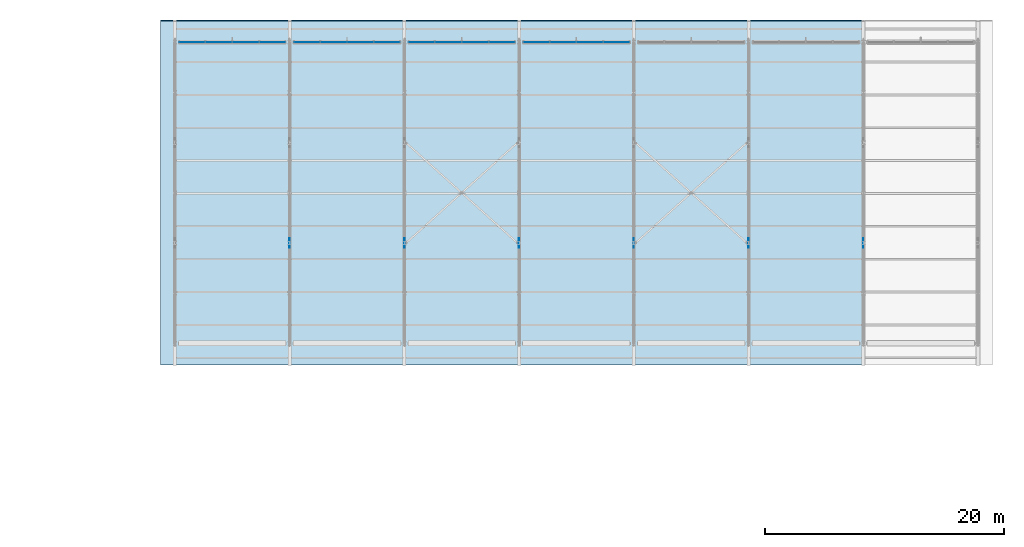
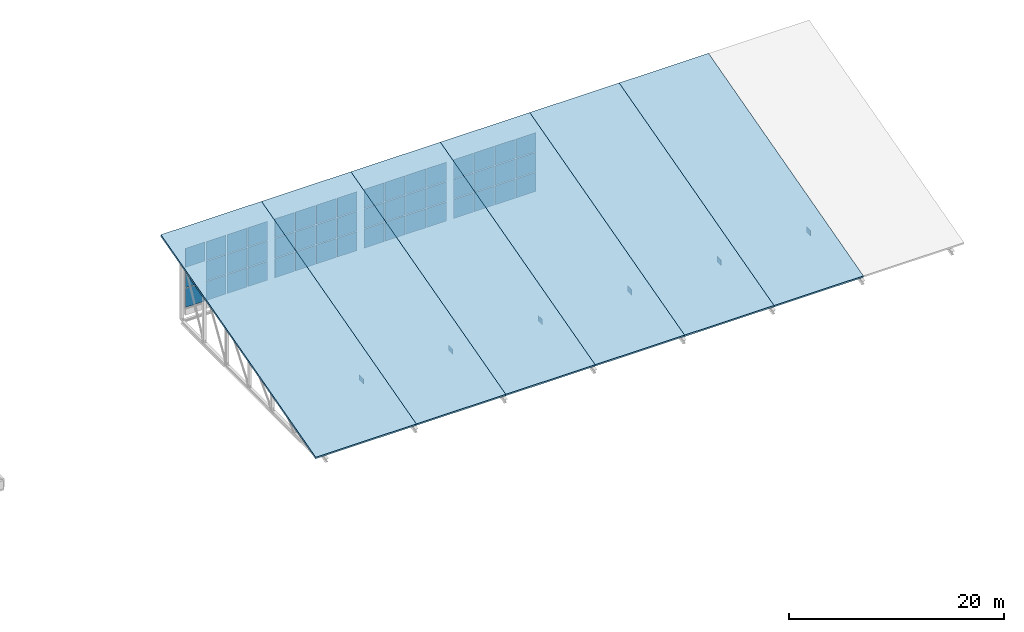
# One storey, part 20 of 37: 54 plates, 6 slabs, 4 elements without a shape of their own.
"""IFC4 building model written with IfcOpenShell, lengths in metres."""

from ifc_helpers import new_model, si_unit, direction, frame, origin, origin_2d, place, context, subcontext, project, spatial, polyline, rectangle, outline, extrude, material, layer, layer_set, type_object, element, aggregate, save


model = new_model("IFC4")

# Units and contexts
model_context = context("Model", 3, precision=1e-05, world=origin(), true_north=direction((0.0, 1.0)))
body_context = subcontext(model_context, "Body", "Model", "MODEL_VIEW")
ifc_project = project(units=[si_unit("LENGTHUNIT", "METRE"), si_unit("AREAUNIT", "SQUARE_METRE"), si_unit("VOLUMEUNIT", "CUBIC_METRE"), si_unit("PLANEANGLEUNIT", "RADIAN"), si_unit("MASSUNIT", "GRAM", prefix="KILO")], contexts=[model_context])

# Site, building, storey
site_placement = place(None, origin())
site = spatial("IfcSite", under=ifc_project, at=site_placement, CompositionType="ELEMENT")
building_placement = place(site_placement, origin())
building = spatial("IfcBuilding", under=site, at=building_placement, Name="Shalvenor Court Art Gallery", CompositionType="ELEMENT")
storey_placement = place(building_placement, frame((0.0, 0.0, 22.199951171875)))
storey = spatial("IfcBuildingStorey", under=building, at=storey_placement, Name="L04", CompositionType="ELEMENT", Elevation=22.199951171875)

# Curtain wall, plates
ifc_material_1 = material(Name="Anodised aluminium and low-iron glass curtain wall", Category="aluminium")
curtain_wall_type = type_object("IfcCurtainWallType", Name="CW-NL-V2", PredefinedType="USERDEFINED", material=ifc_material_1)
curtain_wall_1_placement = place(storey_placement, origin())
curtain_wall_1 = element("IfcCurtainWall", 1, at=curtain_wall_1_placement, inside=storey, type_object=curtain_wall_type, Name="L04 V2 North Light Clerestory 1", ObjectType="CURTAIN WALL", PredefinedType="USERDEFINED")
ifc_material_2 = material(Name="Diffused north-light acid-etched museum glazing IGU", Category="glass")
ifc_layer_1 = layer(ifc_material_2, 0.02392578125, Name="Diffused north-light acid-etched museum glazing IGU")
ifc_layer_set_1 = layer_set([ifc_layer_1], Name="Diffused north-light acid-etched museum glazing IGU")
plate_type_1 = type_object("IfcPlateType", Name="CWP-04", PredefinedType="CURTAIN_PANEL", material=ifc_layer_set_1)
plate_1_placement = place(storey_placement, frame((59.044921875, 122.39990234375, 0.074951171875), z_axis=(0.0, 0.0, 1.0), x_axis=(1.0, 0.0, 0.0)))
plate_1 = element("IfcPlate", 2, at=plate_1_placement, type_object=plate_type_1, Name="CW-NL-V2 panel 1.1", PredefinedType="CURTAIN_PANEL", context=body_context, shape_type="SweptSolid", body=[
    extrude(rectangle(XDim=2.1298828125, YDim=0.02392578125, at=origin_2d()), origin(), (0.0, 0.0, 1.0), 2.1708984375),
])
plate_2_placement = place(storey_placement, frame((59.044921875, 122.39990234375, 2.32080078125), z_axis=(0.0, 0.0, 1.0), x_axis=(1.0, 0.0, 0.0)))
plate_2 = element("IfcPlate", 3, at=plate_2_placement, type_object=plate_type_1, Name="CW-NL-V2 panel 1.2", PredefinedType="CURTAIN_PANEL", context=body_context, shape_type="SweptSolid", body=[
    extrude(rectangle(XDim=2.1298828125, YDim=0.02392578125, at=origin_2d()), origin(), (0.0, 0.0, 1.0), 2.208251953125),
])
plate_3_placement = place(storey_placement, frame((59.044921875, 122.39990234375, 4.604248046875), z_axis=(0.0, 0.0, 1.0), x_axis=(1.0, 0.0, 0.0)))
plate_3 = element("IfcPlate", 4, at=plate_3_placement, type_object=plate_type_1, Name="CW-NL-V2 panel 1.3", PredefinedType="CURTAIN_PANEL", context=body_context, shape_type="SweptSolid", body=[
    extrude(rectangle(XDim=2.1298828125, YDim=0.02392578125, at=origin_2d()), origin(), (0.0, 0.0, 1.0), 2.1708984375),
])
plate_4_placement = place(storey_placement, frame((61.27490234375, 122.39990234375, 0.074951171875), z_axis=(0.0, 0.0, 1.0), x_axis=(1.0, 0.0, 0.0)))
plate_4 = element("IfcPlate", 5, at=plate_4_placement, type_object=plate_type_1, Name="CW-NL-V2 panel 2.1", PredefinedType="CURTAIN_PANEL", context=body_context, shape_type="SweptSolid", body=[
    extrude(rectangle(XDim=2.169921875, YDim=0.02392578125, at=origin_2d()), origin(), (0.0, 0.0, 1.0), 2.1708984375),
])
plate_5_placement = place(storey_placement, frame((61.27490234375, 122.39990234375, 2.32080078125), z_axis=(0.0, 0.0, 1.0), x_axis=(1.0, 0.0, 0.0)))
plate_5 = element("IfcPlate", 6, at=plate_5_placement, type_object=plate_type_1, Name="CW-NL-V2 panel 2.2", PredefinedType="CURTAIN_PANEL", context=body_context, shape_type="SweptSolid", body=[
    extrude(rectangle(XDim=2.169921875, YDim=0.02392578125, at=origin_2d()), origin(), (0.0, 0.0, 1.0), 2.208251953125),
])
plate_6_placement = place(storey_placement, frame((61.27490234375, 122.39990234375, 4.604248046875), z_axis=(0.0, 0.0, 1.0), x_axis=(1.0, 0.0, 0.0)))
plate_6 = element("IfcPlate", 7, at=plate_6_placement, type_object=plate_type_1, Name="CW-NL-V2 panel 2.3", PredefinedType="CURTAIN_PANEL", context=body_context, shape_type="SweptSolid", body=[
    extrude(rectangle(XDim=2.169921875, YDim=0.02392578125, at=origin_2d()), origin(), (0.0, 0.0, 1.0), 2.1708984375),
])
plate_7_placement = place(storey_placement, frame((63.52490234375, 122.39990234375, 0.074951171875), z_axis=(0.0, 0.0, 1.0), x_axis=(1.0, 0.0, 0.0)))
plate_7 = element("IfcPlate", 8, at=plate_7_placement, type_object=plate_type_1, Name="CW-NL-V2 panel 3.1", PredefinedType="CURTAIN_PANEL", context=body_context, shape_type="SweptSolid", body=[
    extrude(rectangle(XDim=2.169921875, YDim=0.02392578125, at=origin_2d()), origin(), (0.0, 0.0, 1.0), 2.1708984375),
])
plate_8_placement = place(storey_placement, frame((63.52490234375, 122.39990234375, 2.32080078125), z_axis=(0.0, 0.0, 1.0), x_axis=(1.0, 0.0, 0.0)))
plate_8 = element("IfcPlate", 9, at=plate_8_placement, type_object=plate_type_1, Name="CW-NL-V2 panel 3.2", PredefinedType="CURTAIN_PANEL", context=body_context, shape_type="SweptSolid", body=[
    extrude(rectangle(XDim=2.169921875, YDim=0.02392578125, at=origin_2d()), origin(), (0.0, 0.0, 1.0), 2.208251953125),
])
plate_9_placement = place(storey_placement, frame((63.52490234375, 122.39990234375, 4.604248046875), z_axis=(0.0, 0.0, 1.0), x_axis=(1.0, 0.0, 0.0)))
plate_9 = element("IfcPlate", 10, at=plate_9_placement, type_object=plate_type_1, Name="CW-NL-V2 panel 3.3", PredefinedType="CURTAIN_PANEL", context=body_context, shape_type="SweptSolid", body=[
    extrude(rectangle(XDim=2.169921875, YDim=0.02392578125, at=origin_2d()), origin(), (0.0, 0.0, 1.0), 2.1708984375),
])
plate_10_placement = place(storey_placement, frame((65.7548828125, 122.39990234375, 0.074951171875), z_axis=(0.0, 0.0, 1.0), x_axis=(1.0, 0.0, 0.0)))
plate_10 = element("IfcPlate", 11, at=plate_10_placement, type_object=plate_type_1, Name="CW-NL-V2 panel 4.1", PredefinedType="CURTAIN_PANEL", context=body_context, shape_type="SweptSolid", body=[
    extrude(rectangle(XDim=2.1298828125, YDim=0.02392578125, at=origin_2d()), origin(), (0.0, 0.0, 1.0), 2.1708984375),
])
plate_11_placement = place(storey_placement, frame((65.7548828125, 122.39990234375, 2.32080078125), z_axis=(0.0, 0.0, 1.0), x_axis=(1.0, 0.0, 0.0)))
plate_11 = element("IfcPlate", 12, at=plate_11_placement, type_object=plate_type_1, Name="CW-NL-V2 panel 4.2", PredefinedType="CURTAIN_PANEL", context=body_context, shape_type="SweptSolid", body=[
    extrude(rectangle(XDim=2.1298828125, YDim=0.02392578125, at=origin_2d()), origin(), (0.0, 0.0, 1.0), 2.208251953125),
])
plate_12_placement = place(storey_placement, frame((65.7548828125, 122.39990234375, 4.604248046875), z_axis=(0.0, 0.0, 1.0), x_axis=(1.0, 0.0, 0.0)))
plate_12 = element("IfcPlate", 13, at=plate_12_placement, type_object=plate_type_1, Name="CW-NL-V2 panel 4.3", PredefinedType="CURTAIN_PANEL", context=body_context, shape_type="SweptSolid", body=[
    extrude(rectangle(XDim=2.1298828125, YDim=0.02392578125, at=origin_2d()), origin(), (0.0, 0.0, 1.0), 2.1708984375),
])
aggregate(curtain_wall_1, [plate_1, plate_2, plate_3, plate_4, plate_5, plate_6, plate_7, plate_8, plate_9, plate_10, plate_11, plate_12])

curtain_wall_2_placement = place(storey_placement, origin())
curtain_wall_2 = element("IfcCurtainWall", 14, at=curtain_wall_2_placement, inside=storey, type_object=curtain_wall_type, Name="L04 V2 North Light Clerestory 2", ObjectType="CURTAIN WALL", PredefinedType="USERDEFINED")
plate_13_placement = place(storey_placement, frame((68.64501953125, 122.39990234375, 0.074951171875), z_axis=(0.0, 0.0, 1.0), x_axis=(1.0, 0.0, 0.0)))
plate_13 = element("IfcPlate", 15, at=plate_13_placement, type_object=plate_type_1, Name="CW-NL-V2 panel 1.1", PredefinedType="CURTAIN_PANEL", context=body_context, shape_type="SweptSolid", body=[
    extrude(rectangle(XDim=2.1298828125, YDim=0.02392578125, at=origin_2d()), origin(), (0.0, 0.0, 1.0), 2.1708984375),
])
plate_14_placement = place(storey_placement, frame((68.64501953125, 122.39990234375, 2.32080078125), z_axis=(0.0, 0.0, 1.0), x_axis=(1.0, 0.0, 0.0)))
plate_14 = element("IfcPlate", 16, at=plate_14_placement, type_object=plate_type_1, Name="CW-NL-V2 panel 1.2", PredefinedType="CURTAIN_PANEL", context=body_context, shape_type="SweptSolid", body=[
    extrude(rectangle(XDim=2.1298828125, YDim=0.02392578125, at=origin_2d()), origin(), (0.0, 0.0, 1.0), 2.208251953125),
])
plate_15_placement = place(storey_placement, frame((68.64501953125, 122.39990234375, 4.604248046875), z_axis=(0.0, 0.0, 1.0), x_axis=(1.0, 0.0, 0.0)))
plate_15 = element("IfcPlate", 17, at=plate_15_placement, type_object=plate_type_1, Name="CW-NL-V2 panel 1.3", PredefinedType="CURTAIN_PANEL", context=body_context, shape_type="SweptSolid", body=[
    extrude(rectangle(XDim=2.1298828125, YDim=0.02392578125, at=origin_2d()), origin(), (0.0, 0.0, 1.0), 2.1708984375),
])
plate_16_placement = place(storey_placement, frame((70.875, 122.39990234375, 0.074951171875), z_axis=(0.0, 0.0, 1.0), x_axis=(1.0, 0.0, 0.0)))
plate_16 = element("IfcPlate", 18, at=plate_16_placement, type_object=plate_type_1, Name="CW-NL-V2 panel 2.1", PredefinedType="CURTAIN_PANEL", context=body_context, shape_type="SweptSolid", body=[
    extrude(rectangle(XDim=2.169921875, YDim=0.02392578125, at=origin_2d()), origin(), (0.0, 0.0, 1.0), 2.1708984375),
])
plate_17_placement = place(storey_placement, frame((70.875, 122.39990234375, 2.32080078125), z_axis=(0.0, 0.0, 1.0), x_axis=(1.0, 0.0, 0.0)))
plate_17 = element("IfcPlate", 19, at=plate_17_placement, type_object=plate_type_1, Name="CW-NL-V2 panel 2.2", PredefinedType="CURTAIN_PANEL", context=body_context, shape_type="SweptSolid", body=[
    extrude(rectangle(XDim=2.169921875, YDim=0.02392578125, at=origin_2d()), origin(), (0.0, 0.0, 1.0), 2.208251953125),
])
plate_18_placement = place(storey_placement, frame((70.875, 122.39990234375, 4.604248046875), z_axis=(0.0, 0.0, 1.0), x_axis=(1.0, 0.0, 0.0)))
plate_18 = element("IfcPlate", 20, at=plate_18_placement, type_object=plate_type_1, Name="CW-NL-V2 panel 2.3", PredefinedType="CURTAIN_PANEL", context=body_context, shape_type="SweptSolid", body=[
    extrude(rectangle(XDim=2.169921875, YDim=0.02392578125, at=origin_2d()), origin(), (0.0, 0.0, 1.0), 2.1708984375),
])
plate_19_placement = place(storey_placement, frame((73.125, 122.39990234375, 0.074951171875), z_axis=(0.0, 0.0, 1.0), x_axis=(1.0, 0.0, 0.0)))
plate_19 = element("IfcPlate", 21, at=plate_19_placement, type_object=plate_type_1, Name="CW-NL-V2 panel 3.1", PredefinedType="CURTAIN_PANEL", context=body_context, shape_type="SweptSolid", body=[
    extrude(rectangle(XDim=2.169921875, YDim=0.02392578125, at=origin_2d()), origin(), (0.0, 0.0, 1.0), 2.1708984375),
])
plate_20_placement = place(storey_placement, frame((73.125, 122.39990234375, 2.32080078125), z_axis=(0.0, 0.0, 1.0), x_axis=(1.0, 0.0, 0.0)))
plate_20 = element("IfcPlate", 22, at=plate_20_placement, type_object=plate_type_1, Name="CW-NL-V2 panel 3.2", PredefinedType="CURTAIN_PANEL", context=body_context, shape_type="SweptSolid", body=[
    extrude(rectangle(XDim=2.169921875, YDim=0.02392578125, at=origin_2d()), origin(), (0.0, 0.0, 1.0), 2.208251953125),
])
plate_21_placement = place(storey_placement, frame((73.125, 122.39990234375, 4.604248046875), z_axis=(0.0, 0.0, 1.0), x_axis=(1.0, 0.0, 0.0)))
plate_21 = element("IfcPlate", 23, at=plate_21_placement, type_object=plate_type_1, Name="CW-NL-V2 panel 3.3", PredefinedType="CURTAIN_PANEL", context=body_context, shape_type="SweptSolid", body=[
    extrude(rectangle(XDim=2.169921875, YDim=0.02392578125, at=origin_2d()), origin(), (0.0, 0.0, 1.0), 2.1708984375),
])
plate_22_placement = place(storey_placement, frame((75.35498046875, 122.39990234375, 0.074951171875), z_axis=(0.0, 0.0, 1.0), x_axis=(1.0, 0.0, 0.0)))
plate_22 = element("IfcPlate", 24, at=plate_22_placement, type_object=plate_type_1, Name="CW-NL-V2 panel 4.1", PredefinedType="CURTAIN_PANEL", context=body_context, shape_type="SweptSolid", body=[
    extrude(rectangle(XDim=2.1298828125, YDim=0.02392578125, at=origin_2d()), origin(), (0.0, 0.0, 1.0), 2.1708984375),
])
plate_23_placement = place(storey_placement, frame((75.35498046875, 122.39990234375, 2.32080078125), z_axis=(0.0, 0.0, 1.0), x_axis=(1.0, 0.0, 0.0)))
plate_23 = element("IfcPlate", 25, at=plate_23_placement, type_object=plate_type_1, Name="CW-NL-V2 panel 4.2", PredefinedType="CURTAIN_PANEL", context=body_context, shape_type="SweptSolid", body=[
    extrude(rectangle(XDim=2.1298828125, YDim=0.02392578125, at=origin_2d()), origin(), (0.0, 0.0, 1.0), 2.208251953125),
])
plate_24_placement = place(storey_placement, frame((75.35498046875, 122.39990234375, 4.604248046875), z_axis=(0.0, 0.0, 1.0), x_axis=(1.0, 0.0, 0.0)))
plate_24 = element("IfcPlate", 26, at=plate_24_placement, type_object=plate_type_1, Name="CW-NL-V2 panel 4.3", PredefinedType="CURTAIN_PANEL", context=body_context, shape_type="SweptSolid", body=[
    extrude(rectangle(XDim=2.1298828125, YDim=0.02392578125, at=origin_2d()), origin(), (0.0, 0.0, 1.0), 2.1708984375),
])
aggregate(curtain_wall_2, [plate_13, plate_14, plate_15, plate_16, plate_17, plate_18, plate_19, plate_20, plate_21, plate_22, plate_23, plate_24])

curtain_wall_3_placement = place(storey_placement, origin())
curtain_wall_3 = element("IfcCurtainWall", 27, at=curtain_wall_3_placement, inside=storey, type_object=curtain_wall_type, Name="L04 V2 North Light Clerestory 3", ObjectType="CURTAIN WALL", PredefinedType="USERDEFINED")
plate_25_placement = place(storey_placement, frame((78.2451171875, 122.39990234375, 0.074951171875), z_axis=(0.0, 0.0, 1.0), x_axis=(1.0, 0.0, 0.0)))
plate_25 = element("IfcPlate", 28, at=plate_25_placement, type_object=plate_type_1, Name="CW-NL-V2 panel 1.1", PredefinedType="CURTAIN_PANEL", context=body_context, shape_type="SweptSolid", body=[
    extrude(rectangle(XDim=2.1298828125, YDim=0.02392578125, at=origin_2d()), origin(), (0.0, 0.0, 1.0), 2.1708984375),
])
plate_26_placement = place(storey_placement, frame((78.2451171875, 122.39990234375, 2.32080078125), z_axis=(0.0, 0.0, 1.0), x_axis=(1.0, 0.0, 0.0)))
plate_26 = element("IfcPlate", 29, at=plate_26_placement, type_object=plate_type_1, Name="CW-NL-V2 panel 1.2", PredefinedType="CURTAIN_PANEL", context=body_context, shape_type="SweptSolid", body=[
    extrude(rectangle(XDim=2.1298828125, YDim=0.02392578125, at=origin_2d()), origin(), (0.0, 0.0, 1.0), 2.208251953125),
])
plate_27_placement = place(storey_placement, frame((78.2451171875, 122.39990234375, 4.604248046875), z_axis=(0.0, 0.0, 1.0), x_axis=(1.0, 0.0, 0.0)))
plate_27 = element("IfcPlate", 30, at=plate_27_placement, type_object=plate_type_1, Name="CW-NL-V2 panel 1.3", PredefinedType="CURTAIN_PANEL", context=body_context, shape_type="SweptSolid", body=[
    extrude(rectangle(XDim=2.1298828125, YDim=0.02392578125, at=origin_2d()), origin(), (0.0, 0.0, 1.0), 2.1708984375),
])
plate_28_placement = place(storey_placement, frame((80.47509765625, 122.39990234375, 0.074951171875), z_axis=(0.0, 0.0, 1.0), x_axis=(1.0, 0.0, 0.0)))
plate_28 = element("IfcPlate", 31, at=plate_28_placement, type_object=plate_type_1, Name="CW-NL-V2 panel 2.1", PredefinedType="CURTAIN_PANEL", context=body_context, shape_type="SweptSolid", body=[
    extrude(rectangle(XDim=2.169921875, YDim=0.02392578125, at=origin_2d()), origin(), (0.0, 0.0, 1.0), 2.1708984375),
])
plate_29_placement = place(storey_placement, frame((80.47509765625, 122.39990234375, 2.32080078125), z_axis=(0.0, 0.0, 1.0), x_axis=(1.0, 0.0, 0.0)))
plate_29 = element("IfcPlate", 32, at=plate_29_placement, type_object=plate_type_1, Name="CW-NL-V2 panel 2.2", PredefinedType="CURTAIN_PANEL", context=body_context, shape_type="SweptSolid", body=[
    extrude(rectangle(XDim=2.169921875, YDim=0.02392578125, at=origin_2d()), origin(), (0.0, 0.0, 1.0), 2.208251953125),
])
plate_30_placement = place(storey_placement, frame((80.47509765625, 122.39990234375, 4.604248046875), z_axis=(0.0, 0.0, 1.0), x_axis=(1.0, 0.0, 0.0)))
plate_30 = element("IfcPlate", 33, at=plate_30_placement, type_object=plate_type_1, Name="CW-NL-V2 panel 2.3", PredefinedType="CURTAIN_PANEL", context=body_context, shape_type="SweptSolid", body=[
    extrude(rectangle(XDim=2.169921875, YDim=0.02392578125, at=origin_2d()), origin(), (0.0, 0.0, 1.0), 2.1708984375),
])
plate_31_placement = place(storey_placement, frame((82.72509765625, 122.39990234375, 0.074951171875), z_axis=(0.0, 0.0, 1.0), x_axis=(1.0, 0.0, 0.0)))
plate_31 = element("IfcPlate", 34, at=plate_31_placement, type_object=plate_type_1, Name="CW-NL-V2 panel 3.1", PredefinedType="CURTAIN_PANEL", context=body_context, shape_type="SweptSolid", body=[
    extrude(rectangle(XDim=2.169921875, YDim=0.02392578125, at=origin_2d()), origin(), (0.0, 0.0, 1.0), 2.1708984375),
])
plate_32_placement = place(storey_placement, frame((82.72509765625, 122.39990234375, 2.32080078125), z_axis=(0.0, 0.0, 1.0), x_axis=(1.0, 0.0, 0.0)))
plate_32 = element("IfcPlate", 35, at=plate_32_placement, type_object=plate_type_1, Name="CW-NL-V2 panel 3.2", PredefinedType="CURTAIN_PANEL", context=body_context, shape_type="SweptSolid", body=[
    extrude(rectangle(XDim=2.169921875, YDim=0.02392578125, at=origin_2d()), origin(), (0.0, 0.0, 1.0), 2.208251953125),
])
plate_33_placement = place(storey_placement, frame((82.72509765625, 122.39990234375, 4.604248046875), z_axis=(0.0, 0.0, 1.0), x_axis=(1.0, 0.0, 0.0)))
plate_33 = element("IfcPlate", 36, at=plate_33_placement, type_object=plate_type_1, Name="CW-NL-V2 panel 3.3", PredefinedType="CURTAIN_PANEL", context=body_context, shape_type="SweptSolid", body=[
    extrude(rectangle(XDim=2.169921875, YDim=0.02392578125, at=origin_2d()), origin(), (0.0, 0.0, 1.0), 2.1708984375),
])
plate_34_placement = place(storey_placement, frame((84.955078125, 122.39990234375, 0.074951171875), z_axis=(0.0, 0.0, 1.0), x_axis=(1.0, 0.0, 0.0)))
plate_34 = element("IfcPlate", 37, at=plate_34_placement, type_object=plate_type_1, Name="CW-NL-V2 panel 4.1", PredefinedType="CURTAIN_PANEL", context=body_context, shape_type="SweptSolid", body=[
    extrude(rectangle(XDim=2.1298828125, YDim=0.02392578125, at=origin_2d()), origin(), (0.0, 0.0, 1.0), 2.1708984375),
])
plate_35_placement = place(storey_placement, frame((84.955078125, 122.39990234375, 2.32080078125), z_axis=(0.0, 0.0, 1.0), x_axis=(1.0, 0.0, 0.0)))
plate_35 = element("IfcPlate", 38, at=plate_35_placement, type_object=plate_type_1, Name="CW-NL-V2 panel 4.2", PredefinedType="CURTAIN_PANEL", context=body_context, shape_type="SweptSolid", body=[
    extrude(rectangle(XDim=2.1298828125, YDim=0.02392578125, at=origin_2d()), origin(), (0.0, 0.0, 1.0), 2.208251953125),
])
plate_36_placement = place(storey_placement, frame((84.955078125, 122.39990234375, 4.604248046875), z_axis=(0.0, 0.0, 1.0), x_axis=(1.0, 0.0, 0.0)))
plate_36 = element("IfcPlate", 39, at=plate_36_placement, type_object=plate_type_1, Name="CW-NL-V2 panel 4.3", PredefinedType="CURTAIN_PANEL", context=body_context, shape_type="SweptSolid", body=[
    extrude(rectangle(XDim=2.1298828125, YDim=0.02392578125, at=origin_2d()), origin(), (0.0, 0.0, 1.0), 2.1708984375),
])
aggregate(curtain_wall_3, [plate_25, plate_26, plate_27, plate_28, plate_29, plate_30, plate_31, plate_32, plate_33, plate_34, plate_35, plate_36])

curtain_wall_4_placement = place(storey_placement, origin())
curtain_wall_4 = element("IfcCurtainWall", 40, at=curtain_wall_4_placement, inside=storey, type_object=curtain_wall_type, Name="L04 V2 North Light Clerestory 4", ObjectType="CURTAIN WALL", PredefinedType="USERDEFINED")
plate_37_placement = place(storey_placement, frame((87.844970703125, 122.39990234375, 0.074951171875), z_axis=(0.0, 0.0, 1.0), x_axis=(1.0, 0.0, 0.0)))
plate_37 = element("IfcPlate", 41, at=plate_37_placement, type_object=plate_type_1, Name="CW-NL-V2 panel 1.1", PredefinedType="CURTAIN_PANEL", context=body_context, shape_type="SweptSolid", body=[
    extrude(rectangle(XDim=2.1298828125, YDim=0.02392578125, at=origin_2d()), origin(), (0.0, 0.0, 1.0), 2.1708984375),
])
plate_38_placement = place(storey_placement, frame((87.844970703125, 122.39990234375, 2.32080078125), z_axis=(0.0, 0.0, 1.0), x_axis=(1.0, 0.0, 0.0)))
plate_38 = element("IfcPlate", 42, at=plate_38_placement, type_object=plate_type_1, Name="CW-NL-V2 panel 1.2", PredefinedType="CURTAIN_PANEL", context=body_context, shape_type="SweptSolid", body=[
    extrude(rectangle(XDim=2.1298828125, YDim=0.02392578125, at=origin_2d()), origin(), (0.0, 0.0, 1.0), 2.208251953125),
])
plate_39_placement = place(storey_placement, frame((87.844970703125, 122.39990234375, 4.604248046875), z_axis=(0.0, 0.0, 1.0), x_axis=(1.0, 0.0, 0.0)))
plate_39 = element("IfcPlate", 43, at=plate_39_placement, type_object=plate_type_1, Name="CW-NL-V2 panel 1.3", PredefinedType="CURTAIN_PANEL", context=body_context, shape_type="SweptSolid", body=[
    extrude(rectangle(XDim=2.1298828125, YDim=0.02392578125, at=origin_2d()), origin(), (0.0, 0.0, 1.0), 2.1708984375),
])
plate_40_placement = place(storey_placement, frame((90.074951171875, 122.39990234375, 0.074951171875), z_axis=(0.0, 0.0, 1.0), x_axis=(1.0, 0.0, 0.0)))
plate_40 = element("IfcPlate", 44, at=plate_40_placement, type_object=plate_type_1, Name="CW-NL-V2 panel 2.1", PredefinedType="CURTAIN_PANEL", context=body_context, shape_type="SweptSolid", body=[
    extrude(rectangle(XDim=2.169921875, YDim=0.02392578125, at=origin_2d()), origin(), (0.0, 0.0, 1.0), 2.1708984375),
])
plate_41_placement = place(storey_placement, frame((90.074951171875, 122.39990234375, 2.32080078125), z_axis=(0.0, 0.0, 1.0), x_axis=(1.0, 0.0, 0.0)))
plate_41 = element("IfcPlate", 45, at=plate_41_placement, type_object=plate_type_1, Name="CW-NL-V2 panel 2.2", PredefinedType="CURTAIN_PANEL", context=body_context, shape_type="SweptSolid", body=[
    extrude(rectangle(XDim=2.169921875, YDim=0.02392578125, at=origin_2d()), origin(), (0.0, 0.0, 1.0), 2.208251953125),
])
plate_42_placement = place(storey_placement, frame((90.074951171875, 122.39990234375, 4.604248046875), z_axis=(0.0, 0.0, 1.0), x_axis=(1.0, 0.0, 0.0)))
plate_42 = element("IfcPlate", 46, at=plate_42_placement, type_object=plate_type_1, Name="CW-NL-V2 panel 2.3", PredefinedType="CURTAIN_PANEL", context=body_context, shape_type="SweptSolid", body=[
    extrude(rectangle(XDim=2.169921875, YDim=0.02392578125, at=origin_2d()), origin(), (0.0, 0.0, 1.0), 2.1708984375),
])
plate_43_placement = place(storey_placement, frame((92.324951171875, 122.39990234375, 0.074951171875), z_axis=(0.0, 0.0, 1.0), x_axis=(1.0, 0.0, 0.0)))
plate_43 = element("IfcPlate", 47, at=plate_43_placement, type_object=plate_type_1, Name="CW-NL-V2 panel 3.1", PredefinedType="CURTAIN_PANEL", context=body_context, shape_type="SweptSolid", body=[
    extrude(rectangle(XDim=2.169921875, YDim=0.02392578125, at=origin_2d()), origin(), (0.0, 0.0, 1.0), 2.1708984375),
])
plate_44_placement = place(storey_placement, frame((92.324951171875, 122.39990234375, 2.32080078125), z_axis=(0.0, 0.0, 1.0), x_axis=(1.0, 0.0, 0.0)))
plate_44 = element("IfcPlate", 48, at=plate_44_placement, type_object=plate_type_1, Name="CW-NL-V2 panel 3.2", PredefinedType="CURTAIN_PANEL", context=body_context, shape_type="SweptSolid", body=[
    extrude(rectangle(XDim=2.169921875, YDim=0.02392578125, at=origin_2d()), origin(), (0.0, 0.0, 1.0), 2.208251953125),
])
plate_45_placement = place(storey_placement, frame((92.324951171875, 122.39990234375, 4.604248046875), z_axis=(0.0, 0.0, 1.0), x_axis=(1.0, 0.0, 0.0)))
plate_45 = element("IfcPlate", 49, at=plate_45_placement, type_object=plate_type_1, Name="CW-NL-V2 panel 3.3", PredefinedType="CURTAIN_PANEL", context=body_context, shape_type="SweptSolid", body=[
    extrude(rectangle(XDim=2.169921875, YDim=0.02392578125, at=origin_2d()), origin(), (0.0, 0.0, 1.0), 2.1708984375),
])
plate_46_placement = place(storey_placement, frame((94.554931640625, 122.39990234375, 0.074951171875), z_axis=(0.0, 0.0, 1.0), x_axis=(1.0, 0.0, 0.0)))
plate_46 = element("IfcPlate", 50, at=plate_46_placement, type_object=plate_type_1, Name="CW-NL-V2 panel 4.1", PredefinedType="CURTAIN_PANEL", context=body_context, shape_type="SweptSolid", body=[
    extrude(rectangle(XDim=2.1298828125, YDim=0.02392578125, at=origin_2d()), origin(), (0.0, 0.0, 1.0), 2.1708984375),
])
plate_47_placement = place(storey_placement, frame((94.554931640625, 122.39990234375, 2.32080078125), z_axis=(0.0, 0.0, 1.0), x_axis=(1.0, 0.0, 0.0)))
plate_47 = element("IfcPlate", 51, at=plate_47_placement, type_object=plate_type_1, Name="CW-NL-V2 panel 4.2", PredefinedType="CURTAIN_PANEL", context=body_context, shape_type="SweptSolid", body=[
    extrude(rectangle(XDim=2.1298828125, YDim=0.02392578125, at=origin_2d()), origin(), (0.0, 0.0, 1.0), 2.208251953125),
])
plate_48_placement = place(storey_placement, frame((94.554931640625, 122.39990234375, 4.604248046875), z_axis=(0.0, 0.0, 1.0), x_axis=(1.0, 0.0, 0.0)))
plate_48 = element("IfcPlate", 52, at=plate_48_placement, type_object=plate_type_1, Name="CW-NL-V2 panel 4.3", PredefinedType="CURTAIN_PANEL", context=body_context, shape_type="SweptSolid", body=[
    extrude(rectangle(XDim=2.1298828125, YDim=0.02392578125, at=origin_2d()), origin(), (0.0, 0.0, 1.0), 2.1708984375),
])
aggregate(curtain_wall_4, [plate_37, plate_38, plate_39, plate_40, plate_41, plate_42, plate_43, plate_44, plate_45, plate_46, plate_47, plate_48])

# Plates
ifc_material_3 = material(Name="Steel S355", Category="steel")
ifc_layer_2 = layer(ifc_material_3, 0.02587890625, Name="Steel S355")
ifc_layer_set_2 = layer_set([ifc_layer_2], Name="Steel S355")
plate_type_2 = type_object("IfcPlateType", Name="GP-03", PredefinedType="SHEET", material=ifc_layer_set_2)
for number, where, z_axis, x_axis, name in (
    (53, (67.199951171875, 105.60009765625, -1.425048828125), (0.0, 0.0, 1.0), (0.0, 1.0, 0.0), "TN-02 Truss Gusset Plate PLT-GUS-0022"),
    (54, (76.800048828125, 105.60009765625, -1.425048828125), (0.0, 0.0, 1.0), (0.0, 1.0, 0.0), "TN-02 Truss Gusset Plate PLT-GUS-0041"),
    (55, (86.39990234375, 105.60009765625, -1.425048828125), (0.0, 0.0, 1.0), (0.0, 1.0, 0.0), "TN-02 Truss Gusset Plate PLT-GUS-0060"),
    (56, (96.0, 105.60009765625, -1.425048828125), (0.0, 0.0, 1.0), (0.0, 1.0, 0.0), "TN-02 Truss Gusset Plate PLT-GUS-0079"),
    (57, (105.60009765625, 105.60009765625, -1.425048828125), (0.0, 0.0, 1.0), (0.0, 1.0, 0.0), "TN-02 Truss Gusset Plate PLT-GUS-0098"),
    (58, (115.199951171875, 105.60009765625, -1.425048828125), (0.0, 0.0, 1.0), (0.0, 1.0, 0.0), "TN-02 Truss Gusset Plate PLT-GUS-0117"),
):
    element("IfcPlate", number, at=place(storey_placement, frame(where, z_axis=z_axis, x_axis=x_axis)), inside=storey, type_object=plate_type_2, Name=name, PredefinedType="SHEET", context=body_context, shape_type="SweptSolid", body=[
        extrude(rectangle(XDim=0.800048828125, YDim=0.02587890625, at=origin_2d()), origin(), (0.0, 0.0, 1.0), 0.60009765625),
    ])

# Slabs
ifc_material_4 = material(Name="Concrete C40/50", Category="concrete")
ifc_layer_3 = layer(ifc_material_4, 0.22998046875, Name="Concrete C40/50")
ifc_layer_set_3 = layer_set([ifc_layer_3], Name="Concrete C40/50")
slab_type = type_object("IfcSlabType", Name="RF-230", PredefinedType="ROOF", material=ifc_layer_set_3)
slab_1_placement = place(storey_placement, frame((56.39990234375, 95.39990234375, 0.0), z_axis=(0.0, -0.261416587437, 0.965226070832), x_axis=(1.0, 0.0, 0.0)))
element("IfcSlab", 59, at=slab_1_placement, inside=storey, type_object=slab_type, Name="L04 V2 Pitched Gallery Roof Slab Bay 1", PredefinedType="ROOF", context=body_context, shape_type="SweptSolid", body=[
    extrude(outline(polyline([(0.0, 0.0), (10.800048828125, 0.0), (10.800048828125, 29.837620116616513), (0.0, 29.837620116616513), (0.0, 0.0)])), origin(), (0.0, 0.0, -1.0), 0.22998046875),
])
slab_2_placement = place(storey_placement, frame((67.199951171875, 95.39990234375, 0.0), z_axis=(0.0, -0.261416587437, 0.965226070832), x_axis=(1.0, 0.0, 0.0)))
element("IfcSlab", 60, at=slab_2_placement, inside=storey, type_object=slab_type, Name="L04 V2 Pitched Gallery Roof Slab Bay 2", PredefinedType="ROOF", context=body_context, shape_type="SweptSolid", body=[
    extrude(outline(polyline([(0.0, 0.0), (9.60009765625, 0.0), (9.60009765625, 29.83762011661651), (0.0, 29.83762011661651), (0.0, 0.0)])), origin(), (0.0, 0.0, -1.0), 0.22998046875),
])
slab_3_placement = place(storey_placement, frame((76.800048828125, 95.39990234375, 0.0), z_axis=(0.0, -0.261416587437, 0.965226070832), x_axis=(1.0, 0.0, 0.0)))
element("IfcSlab", 61, at=slab_3_placement, inside=storey, type_object=slab_type, Name="L04 V2 Pitched Gallery Roof Slab Bay 3", PredefinedType="ROOF", context=body_context, shape_type="SweptSolid", body=[
    extrude(outline(polyline([(0.0, 0.0), (9.599853515625, 0.0), (9.599853515625, 29.837620116616513), (0.0, 29.837620116616513), (0.0, 0.0)])), origin(), (0.0, 0.0, -1.0), 0.22998046875),
])
for number, where, z_axis, x_axis, name in (
    (62, (86.39990234375, 95.39990234375, 0.0), (0.0, -0.261416587437, 0.965226070832), (1.0, 0.0, 0.0), "L04 V2 Pitched Gallery Roof Slab Bay 4"),
    (63, (96.0, 95.39990234375, 0.0), (0.0, -0.261416587437, 0.965226070832), (1.0, 0.0, 0.0), "L04 V2 Pitched Gallery Roof Slab Bay 5"),
):
    element("IfcSlab", number, at=place(storey_placement, frame(where, z_axis=z_axis, x_axis=x_axis)), inside=storey, type_object=slab_type, Name=name, PredefinedType="ROOF", context=body_context, shape_type="SweptSolid", body=[
        extrude(outline(polyline([(0.0, 0.0), (9.60009765625, 0.0), (9.60009765625, 29.83762011661651), (0.0, 29.83762011661651), (0.0, 0.0)])), origin(), (0.0, 0.0, -1.0), 0.22998046875),
    ])
slab_4_placement = place(storey_placement, frame((105.60009765625, 95.39990234375, 0.0), z_axis=(0.0, -0.261416587437, 0.965226070832), x_axis=(1.0, 0.0, 0.0)))
element("IfcSlab", 64, at=slab_4_placement, inside=storey, type_object=slab_type, Name="L04 V2 Pitched Gallery Roof Slab Bay 6", PredefinedType="ROOF", context=body_context, shape_type="SweptSolid", body=[
    extrude(outline(polyline([(0.0, 0.0), (9.599853515625, 0.0), (9.599853515625, 29.837620116616513), (0.0, 29.837620116616513), (0.0, 0.0)])), origin(), (0.0, 0.0, -1.0), 0.22998046875),
])

save(model, "model.ifc")
